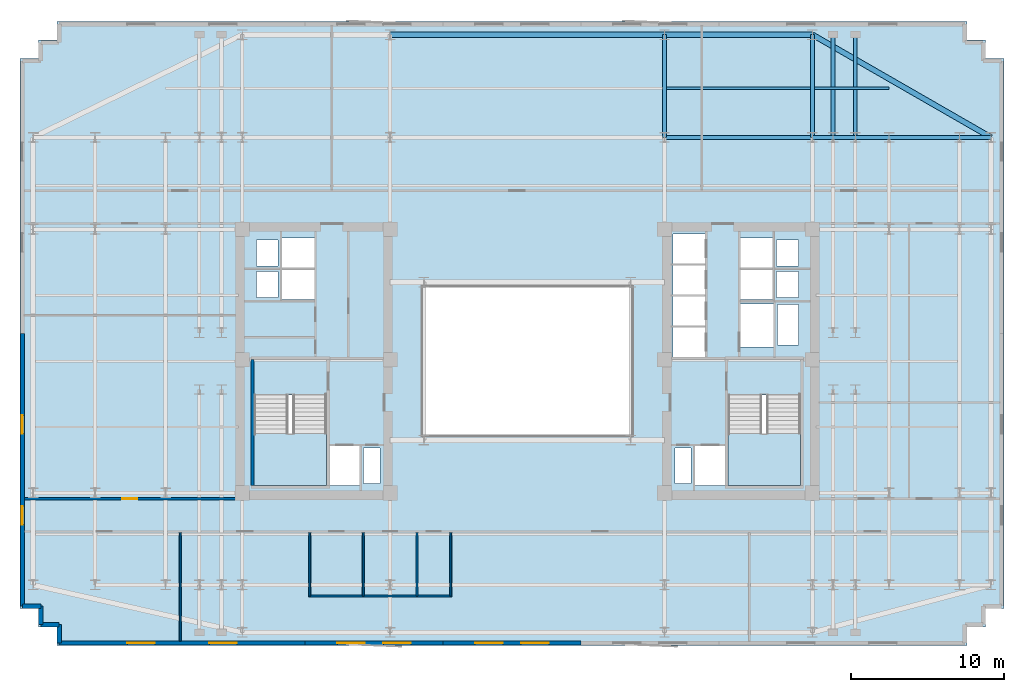
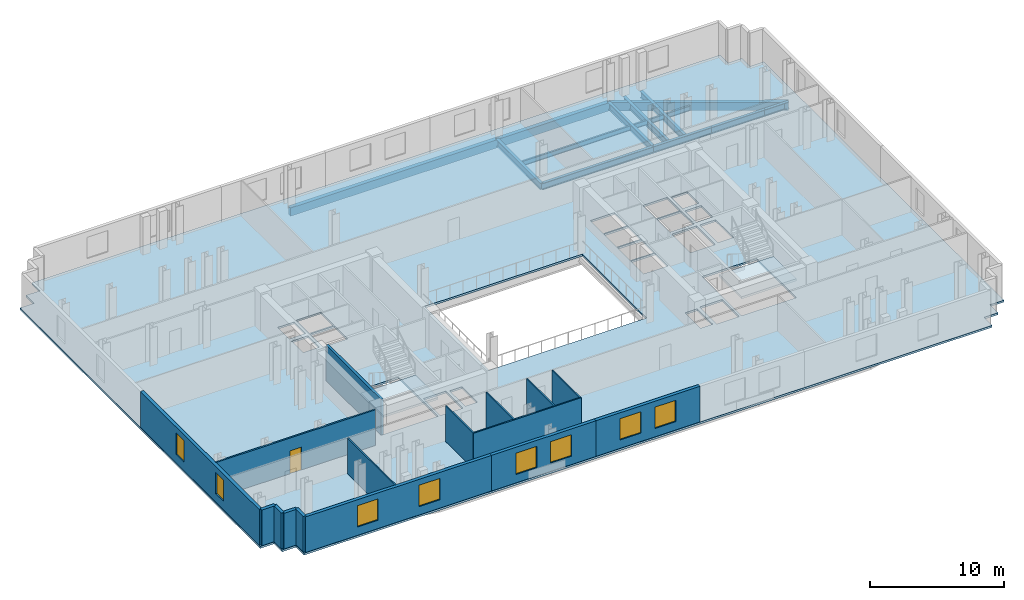
# One storey, part 3 of 10: 16 walls, 13 beams, 8 windows, 3 slabs, 1 door, 9 openings, 2 elements without a shape of their own.
"""IFC4 building model written with IfcOpenShell, lengths in metres."""

from ifc_helpers import new_model, si_unit, direction, frame, frame_2d, origin, origin_2d, place, context, subcontext, project, spatial, polyline, rectangle, i_section, outline, extrude, material, layer, layer_set, material_profile, profile_set, type_object, element, fill, aggregate, save


model = new_model("IFC4")

# Units and contexts
model_context = context("Model", 3, precision=1e-05, world=origin(), true_north=direction((0.0, 1.0)))
body_context = subcontext(model_context, "Body", "Model", "MODEL_VIEW")
ifc_project = project(units=[si_unit("LENGTHUNIT", "METRE"), si_unit("AREAUNIT", "SQUARE_METRE"), si_unit("VOLUMEUNIT", "CUBIC_METRE"), si_unit("PLANEANGLEUNIT", "RADIAN"), si_unit("MASSUNIT", "GRAM", prefix="KILO")], contexts=[model_context])

# Site, building, storey
site_placement = place(None, origin())
site = spatial("IfcSite", under=ifc_project, at=site_placement, CompositionType="ELEMENT")
building_placement = place(site_placement, origin())
building = spatial("IfcBuilding", under=site, at=building_placement, Name="Velakula Bourse", CompositionType="ELEMENT")
storey_placement = place(building_placement, frame((0.0, 0.0, 127.75)))
storey = spatial("IfcBuildingStorey", under=building, at=storey_placement, Name="L34", CompositionType="ELEMENT", Elevation=127.75)

# Beams
ifc_material_1 = material(Name="Steel IS 2062 Grade 350 (E350)", Category="steel")
ifc_material_profile_1 = material_profile(ifc_material_1, i_section(OverallWidth=0.25, OverallDepth=0.60009765625, WebThickness=0.01123046875, FlangeThickness=0.021240234375, at=origin_2d()), Name="Steel IS 2062 Grade 350 (E350)")
ifc_profile_set_1 = profile_set([ifc_material_profile_1], Name="Steel IS 2062 Grade 350 (E350)")
beam_type_1 = type_object("IfcBeamType", Name="BM-GRD-600M", PredefinedType="BEAM", material=ifc_profile_set_1)
beam_1_placement = place(storey_placement, frame((8.949951171875, 14.60009765625, -0.47998046875), z_axis=(1.0, 0.0, 0.0), x_axis=(0.0, 1.0, 0.0)))
element("IfcBeam", 1, at=beam_1_placement, inside=storey, type_object=beam_type_1, Name="L34 Fulcrum Grid Girder FLC-N3", PredefinedType="BEAM", context=body_context, shape_type="SweptSolid", body=[
    extrude(i_section(OverallWidth=0.25, OverallDepth=0.60009765625, WebThickness=0.01123046875, FlangeThickness=0.021240234375, at=origin_2d()), origin(), (0.0, 0.0, 1.0), 9.650146484375),
])
beam_2_placement = place(storey_placement, frame((18.60009765625, 14.60009765625, -0.47998046875), z_axis=(1.0, 0.0, 0.0), x_axis=(0.0, 1.0, 0.0)))
element("IfcBeam", 2, at=beam_2_placement, inside=storey, type_object=beam_type_1, Name="L34 Fulcrum Grid Girder MWG-EN2", PredefinedType="BEAM", context=body_context, shape_type="SweptSolid", body=[
    extrude(i_section(OverallWidth=0.25, OverallDepth=0.60009765625, WebThickness=0.01123046875, FlangeThickness=0.021240234375, at=origin_2d()), origin(), (0.0, 0.0, 1.0), 5.0),
])
beam_3_placement = place(storey_placement, frame((23.60009765625, 14.60009765625, -0.47998046875), z_axis=(1.0, 0.0, 0.0), x_axis=(0.0, 1.0, 0.0)))
element("IfcBeam", 3, at=beam_3_placement, inside=storey, type_object=beam_type_1, Name="L34 Fulcrum Grid Girder WNG-EN2", PredefinedType="BEAM", context=body_context, shape_type="SweptSolid", body=[
    extrude(i_section(OverallWidth=0.25, OverallDepth=0.60009765625, WebThickness=0.01123046875, FlangeThickness=0.021240234375, at=origin_2d()), origin(), (0.0, 0.0, 1.0), 4.599853515625),
])
for number, where, z_axis, x_axis, name in (
    (4, (8.949951171875, 14.60009765625, -0.47998046875), (0.0, 1.0, 0.0), (-1.0, 0.0, 0.0), "L34 Perimeter Tie Girder N3"),
    (5, (18.60009765625, 14.60009765625, -0.47998046875), (0.0, 1.0, 0.0), (-1.0, 0.0, 0.0), "L34 Perimeter Tie Girder N4"),
):
    element("IfcBeam", number, at=place(storey_placement, frame(where, z_axis=z_axis, x_axis=x_axis)), inside=storey, type_object=beam_type_1, Name=name, PredefinedType="BEAM", context=body_context, shape_type="SweptSolid", body=[
        extrude(i_section(OverallWidth=0.25, OverallDepth=0.60009765625, WebThickness=0.01123046875, FlangeThickness=0.021240234375, at=origin_2d()), origin(), (0.0, 0.0, 1.0), 6.699951171875),
    ])
beam_4_placement = place(storey_placement, frame((28.199951171875, 14.60009765625, -0.47998046875), z_axis=(1.0, 0.0, 0.0), x_axis=(0.0, 1.0, 0.0)))
element("IfcBeam", 6, at=beam_4_placement, inside=storey, type_object=beam_type_1, Name="L34 Perimeter Tie Girder E4", PredefinedType="BEAM", context=body_context, shape_type="SweptSolid", body=[
    extrude(i_section(OverallWidth=0.25, OverallDepth=0.60009765625, WebThickness=0.01123046875, FlangeThickness=0.021240234375, at=origin_2d()), origin(), (0.0, 0.0, 1.0), 2.050048828125),
])
for number, where, z_axis, x_axis, name in (
    (7, (19.949951171875, 14.60009765625, -0.47998046875), (0.0, 1.0, 0.0), (-1.0, 0.0, 0.0), "L34 Perimeter Tie Girder P07"),
    (8, (21.39990234375, 14.60009765625, -0.47998046875), (0.0, 1.0, 0.0), (-1.0, 0.0, 0.0), "L34 Perimeter Tie Girder P08"),
):
    element("IfcBeam", number, at=place(storey_placement, frame(where, z_axis=z_axis, x_axis=x_axis)), inside=storey, type_object=beam_type_1, Name=name, PredefinedType="BEAM", context=body_context, shape_type="SweptSolid", body=[
        extrude(i_section(OverallWidth=0.25, OverallDepth=0.60009765625, WebThickness=0.01123046875, FlangeThickness=0.021240234375, at=origin_2d()), origin(), (0.0, 0.0, 1.0), 6.699951171875),
    ])
ifc_material_profile_2 = material_profile(ifc_material_1, i_section(OverallWidth=0.14990234375, OverallDepth=0.449951171875, WebThickness=0.009521484375, FlangeThickness=0.017333984375, at=origin_2d()), Name="Steel IS 2062 Grade 350 (E350)")
ifc_profile_set_2 = profile_set([ifc_material_profile_2], Name="Steel IS 2062 Grade 350 (E350)")
beam_type_2 = type_object("IfcBeamType", Name="JST-TWR-450", PredefinedType="JOIST", material=ifc_profile_set_2)
beam_5_placement = place(storey_placement, frame((9.074951171875, 17.800048828125, -0.405029296875), z_axis=(1.0, 0.0, 0.0), x_axis=(0.0, 1.0, 0.0)))
element("IfcBeam", 9, at=beam_5_placement, inside=storey, type_object=beam_type_2, Name="L34 Trading Floor Composite Joist 20", PredefinedType="JOIST", context=body_context, shape_type="SweptSolid", body=[
    extrude(i_section(OverallWidth=0.14990234375, OverallDepth=0.449951171875, WebThickness=0.009521484375, FlangeThickness=0.017333984375, at=origin_2d()), origin(), (0.0, 0.0, 1.0), 9.400146484375),
])
beam_6_placement = place(storey_placement, frame((18.72509765625, 17.800048828125, -0.405029296875), z_axis=(1.0, 0.0, 0.0), x_axis=(0.0, 1.0, 0.0)))
element("IfcBeam", 10, at=beam_6_placement, inside=storey, type_object=beam_type_2, Name="L34 Trading Floor Composite Joist 21", PredefinedType="JOIST", context=body_context, shape_type="SweptSolid", body=[
    extrude(i_section(OverallWidth=0.14990234375, OverallDepth=0.449951171875, WebThickness=0.009521484375, FlangeThickness=0.017333984375, at=origin_2d()), origin(), (0.0, 0.0, 1.0), 4.875),
])
ifc_material_2 = material(Name="Precast concrete M45 (fck 45 MPa)", Category="concrete")
ifc_material_profile_3 = material_profile(ifc_material_2, rectangle(XDim=0.35009765625, YDim=0.75, at=origin_2d()), Name="Precast concrete M45 (fck 45 MPa)")
ifc_profile_set_3 = profile_set([ifc_material_profile_3], Name="Precast concrete M45 (fck 45 MPa)")
beam_type_3 = type_object("IfcBeamType", Name="SPN-BRICK-750", PredefinedType="SPANDREL", material=ifc_profile_set_3)
beam_7_placement = place(storey_placement, frame((-8.949951171875, 21.300048828125, -0.554931640625), z_axis=(1.0, 0.0, 0.0), x_axis=(0.0, 1.0, 0.0)))
element("IfcBeam", 11, at=beam_7_placement, inside=storey, type_object=beam_type_3, Name="L34 Brick-Faced Precast Spandrel N2-N3", PredefinedType="SPANDREL", context=body_context, shape_type="SweptSolid", body=[
    extrude(rectangle(XDim=0.35009765625, YDim=0.75, at=origin_2d()), origin(), (0.0, 0.0, 1.0), 17.89990234375),
])
beam_8_placement = place(storey_placement, frame((8.949951171875, 21.300048828125, -0.554931640625), z_axis=(1.0, 0.0, 0.0), x_axis=(0.0, 1.0, 0.0)))
element("IfcBeam", 12, at=beam_8_placement, inside=storey, type_object=beam_type_3, Name="L34 Brick-Faced Precast Spandrel N3-N4", PredefinedType="SPANDREL", context=body_context, shape_type="SweptSolid", body=[
    extrude(rectangle(XDim=0.35009765625, YDim=0.75, at=origin_2d()), origin(), (0.0, 0.0, 1.0), 9.650146484375),
])
beam_9_placement = place(storey_placement, frame((30.25, 14.60009765625, -0.554931640625), z_axis=(-0.866865871572, 0.498541433286, 0.0), x_axis=(-0.498541433286, -0.866865871572, 0.0)))
element("IfcBeam", 13, at=beam_9_placement, inside=storey, type_object=beam_type_3, Name="L34 Brick-Faced Precast Spandrel E4-N4", PredefinedType="SPANDREL", context=body_context, shape_type="SweptSolid", body=[
    extrude(rectangle(XDim=0.35009765625, YDim=0.75, at=origin_2d()), origin(), (0.0, 0.0, 1.0), 13.439208984375),
])

# Stair, slab
ifc_material_3 = material(Name="Concrete M45 (fck 45 MPa)", Category="concrete")
stair_type = type_object("IfcStairType", Name="STR-DOG-390", PredefinedType="HALF_TURN_STAIR", material=ifc_material_3)
stair_1_placement = place(storey_placement, origin())
stair_1 = element("IfcStair", 14, at=stair_1_placement, inside=storey, type_object=stair_type, Name="L34 West Core Exit Stair ST-W1", PredefinedType="HALF_TURN_STAIR")
ifc_layer_1 = layer(ifc_material_3, 0.199951171875, Name="Concrete M45 (fck 45 MPa)", Category="concrete")
ifc_layer_set_1 = layer_set([ifc_layer_1], Name="Concrete M45 (fck 45 MPa)")
slab_type_1 = type_object("IfcSlabType", Name="SLB-STAIR-LND-200", PredefinedType="LANDING", material=ifc_layer_set_1)
slab_1_placement = place(storey_placement, frame((0.0, 0.0, 1.52490234375)))
slab_1 = element("IfcSlab", 15, at=slab_1_placement, type_object=slab_type_1, Name="ST-W1 landing 1", PredefinedType="LANDING", context=body_context, shape_type="SweptSolid", body=[
    extrude(outline(polyline([(-17.820068359375, -4.719970703125), (-17.820068359375, -8.10009765625), (-13.10009765625, -8.10009765625), (-13.10009765625, -4.719970703125), (-17.820068359375, -4.719970703125)])), origin(), (0.0, 0.0, 1.0), 0.2001953125),
])
aggregate(stair_1, [slab_1])

stair_2_placement = place(storey_placement, origin())
stair_2 = element("IfcStair", 16, at=stair_2_placement, inside=storey, type_object=stair_type, Name="L34 East Core Exit Stair ST-E1", PredefinedType="HALF_TURN_STAIR")
slab_2_placement = place(storey_placement, frame((0.0, 0.0, 1.52490234375)))
slab_2 = element("IfcSlab", 17, at=slab_2_placement, type_object=slab_type_1, Name="ST-E1 landing 1", PredefinedType="LANDING", context=body_context, shape_type="SweptSolid", body=[
    extrude(outline(polyline([(13.10009765625, -4.719970703125), (13.10009765625, -8.10009765625), (17.820068359375, -8.10009765625), (17.820068359375, -4.719970703125), (13.10009765625, -4.719970703125)])), origin(), (0.0, 0.0, 1.0), 0.2001953125),
])
aggregate(stair_2, [slab_2])

# Slab
ifc_material_4 = material(Name="Concrete M50 (fck 50 MPa)", Category="concrete")
ifc_layer_2 = layer(ifc_material_4, 0.179931640625, Name="Concrete M50 (fck 50 MPa)", Category="concrete")
ifc_layer_set_2 = layer_set([ifc_layer_2], Name="Concrete M50 (fck 50 MPa)")
slab_type_2 = type_object("IfcSlabType", Name="SLB-TWR-180", PredefinedType="FLOOR", material=ifc_layer_set_2)
slab_3_placement = place(storey_placement, frame((0.0, 0.0, -0.179931640625)))
element("IfcSlab", 18, at=slab_3_placement, inside=storey, type_object=slab_type_2, Name="L34 Suspended Structural Floor Slab", PredefinedType="FLOOR", context=body_context, shape_type="SweptSolid", body=[
    extrude(outline(polyline([(-30.699951171875, -18.550048828125), (28.699951171875, -18.550048828125), (28.699951171875, -17.35009765625), (29.89990234375, -17.35009765625), (29.89990234375, -16.14990234375), (31.10009765625, -16.14990234375), (31.10009765625, 19.75), (29.89990234375, 19.75), (29.89990234375, 20.949951171875), (28.699951171875, 20.949951171875), (28.699951171875, 22.14990234375), (-30.699951171875, 22.14990234375), (-30.699951171875, 20.949951171875), (-31.89990234375, 20.949951171875), (-31.89990234375, 19.75), (-33.10009765625, 19.75), (-33.10009765625, -16.14990234375), (-31.89990234375, -16.14990234375), (-31.89990234375, -17.35009765625), (-30.699951171875, -17.35009765625), (-30.699951171875, -18.550048828125)]), holes=[polyline([(-17.820068359375, -8.10009765625), (-13.10009765625, -8.10009765625), (-13.10009765625, -2.199951171875), (-17.820068359375, -2.199951171875), (-17.820068359375, -8.10009765625)]), polyline([(13.10009765625, -8.10009765625), (17.820068359375, -8.10009765625), (17.820068359375, -2.199951171875), (13.10009765625, -2.199951171875), (13.10009765625, -8.10009765625)]), polyline([(-12.89990234375, -8.10009765625), (-10.949951171875, -8.10009765625), (-10.949951171875, -5.550048828125), (-12.89990234375, -5.550048828125), (-12.89990234375, -8.10009765625)]), polyline([(10.949951171875, -8.10009765625), (12.89990234375, -8.10009765625), (12.89990234375, -5.550048828125), (10.949951171875, -5.550048828125), (10.949951171875, -8.10009765625)]), polyline([(13.89990234375, 0.919921875), (16.050048828125, 0.919921875), (16.050048828125, 3.719970703125), (13.89990234375, 3.719970703125), (13.89990234375, 0.919921875)]), polyline([(-10.679931640625, -7.97998046875), (-9.6201171875, -7.97998046875), (-9.6201171875, -5.669921875), (-10.679931640625, -5.669921875), (-10.679931640625, -7.97998046875)]), polyline([(-17.679931640625, 4.139892578125), (-16.27001953125, 4.139892578125), (-16.27001953125, 5.85009765625), (-17.679931640625, 5.85009765625), (-17.679931640625, 4.139892578125)]), polyline([(-17.679931640625, 6.2099609375), (-16.27001953125, 6.2099609375), (-16.27001953125, 7.919921875), (-17.679931640625, 7.919921875), (-17.679931640625, 6.2099609375)]), polyline([(9.6201171875, -7.97998046875), (10.679931640625, -7.97998046875), (10.679931640625, -5.669921875), (9.6201171875, -5.669921875), (9.6201171875, -7.97998046875)]), polyline([(16.27001953125, 4.139892578125), (17.679931640625, 4.139892578125), (17.679931640625, 5.85009765625), (16.27001953125, 5.85009765625), (16.27001953125, 4.139892578125)]), polyline([(16.27001953125, 6.2099609375), (17.679931640625, 6.2099609375), (17.679931640625, 7.919921875), (16.27001953125, 7.919921875), (16.27001953125, 6.2099609375)]), polyline([(16.320068359375, 1.0400390625), (17.679931640625, 1.0400390625), (17.679931640625, 3.699951171875), (16.320068359375, 3.699951171875), (16.320068359375, 1.0400390625)]), polyline([(9.5, 0.280029296875), (11.60009765625, 0.280029296875), (11.60009765625, 2.199951171875), (9.5, 2.199951171875), (9.5, 0.280029296875)]), polyline([(9.5, 2.31005859375), (11.60009765625, 2.31005859375), (11.60009765625, 4.22998046875), (9.5, 4.22998046875), (9.5, 2.31005859375)]), polyline([(9.5, 4.340087890625), (11.60009765625, 4.340087890625), (11.60009765625, 6.260009765625), (9.5, 6.260009765625), (9.5, 4.340087890625)]), polyline([(9.5, 6.3701171875), (11.60009765625, 6.3701171875), (11.60009765625, 8.2900390625), (9.5, 8.2900390625), (9.5, 6.3701171875)]), polyline([(-16.0, 4.02001953125), (-13.89990234375, 4.02001953125), (-13.89990234375, 5.969970703125), (-16.0, 5.969970703125), (-16.0, 4.02001953125)]), polyline([(-16.0, 6.090087890625), (-13.89990234375, 6.090087890625), (-13.89990234375, 8.0400390625), (-16.0, 8.0400390625), (-16.0, 6.090087890625)]), polyline([(13.89990234375, 4.02001953125), (16.0, 4.02001953125), (16.0, 5.969970703125), (13.89990234375, 5.969970703125), (13.89990234375, 4.02001953125)]), polyline([(13.89990234375, 6.090087890625), (16.0, 6.090087890625), (16.0, 8.0400390625), (13.89990234375, 8.0400390625), (13.89990234375, 6.090087890625)]), polyline([(-6.800048828125, -4.800048828125), (6.800048828125, -4.800048828125), (6.800048828125, 4.800048828125), (-6.800048828125, 4.800048828125), (-6.800048828125, -4.800048828125)])]), origin(), (0.0, 0.0, 1.0), 0.179931640625),
])

# Wall
ifc_layer_3 = layer(ifc_material_4, 0.2099609375, Name="Concrete M50 (fck 50 MPa)", Category="concrete")
ifc_layer_set_3 = layer_set([ifc_layer_3], Name="Concrete M50 (fck 50 MPa)")
wall_type_1 = type_object("IfcWallType", Name="WL-CORE-210", PredefinedType="SHEAR", material=ifc_layer_set_3)
wall_1_placement = place(storey_placement, frame((-17.925048828125, -8.10009765625, 0.0), z_axis=(0.0, 0.0, 1.0), x_axis=(0.0, 1.0, 0.0)))
element("IfcWall", 19, at=wall_1_placement, inside=storey, type_object=wall_type_1, Name="L34 Core W Stairwell Shear Wall OUT", PredefinedType="SHEAR", context=body_context, shape_type="SweptSolid", body=[
    extrude(rectangle(XDim=8.2001953125, YDim=0.2099609375, at=frame_2d((4.10009765625, 0.0))), origin(), (0.0, 0.0, 1.0), 3.27001953125),
])

# Wall, openings, windows
ifc_material_5 = material(Name="Red kilned clay facing brick masonry", Category="masonry")
ifc_layer_4 = layer(ifc_material_5, 0.280029296875, Name="Red kilned clay facing brick masonry", Category="masonry")
ifc_layer_set_4 = layer_set([ifc_layer_4], Name="Red kilned clay facing brick masonry")
wall_type_2 = type_object("IfcWallType", Name="WL-EXT-BRK-280", PredefinedType="STANDARD", material=ifc_layer_set_4)
wall_2_placement = place(storey_placement, frame((-14.5, -18.389892578125, 0.0), z_axis=(0.0, 0.0, 1.0), x_axis=(-1.0, 0.0, 0.0)))
wall_2 = element("IfcWall", 20, at=wall_2_placement, inside=storey, type_object=wall_type_2, Name="L34 S Brick Spandrel Wall B1", PredefinedType="STANDARD", context=body_context, shape_type="SweptSolid", body=[
    extrude(rectangle(XDim=16.0400390625, YDim=0.280029296875, at=frame_2d((8.02001953125, 0.0))), origin(), (0.0, 0.0, 1.0), 3.25),
])
opening_1_placement = place(wall_2_placement, frame((4.44677734375, 0.0, 0.760009765625)))
opening_1 = element("IfcOpeningElement", 21, at=opening_1_placement, cuts=wall_2, Name="Opening W-01", PredefinedType="OPENING", context=body_context, shape_type="SweptSolid", body=[
    extrude(rectangle(XDim=1.800048828125, YDim=1.949951171875, at=frame_2d((0.89990234375, 0.97509765625))), frame((0.0, 0.14990234375, 0.0), z_axis=(0.0, -1.0, 0.0), x_axis=(1.0, 0.0, 0.0)), (0.0, 0.0, 1.0), 0.300048828125),
])
opening_2_placement = place(wall_2_placement, frame((9.793212890625, 0.0, 0.760009765625)))
opening_2 = element("IfcOpeningElement", 22, at=opening_2_placement, cuts=wall_2, Name="Opening W-01", PredefinedType="OPENING", context=body_context, shape_type="SweptSolid", body=[
    extrude(rectangle(XDim=1.800048828125, YDim=1.949951171875, at=frame_2d((0.89990234375, 0.97509765625))), frame((0.0, 0.14990234375, 0.0), z_axis=(0.0, -1.0, 0.0), x_axis=(1.0, 0.0, 0.0)), (0.0, 0.0, 1.0), 0.300048828125),
])
ifc_material_6 = material(Name="Double-glazed solar-control Low-E glass", Category="glass")
window_type_1 = type_object("IfcWindowType", Name="WIN-TWR-1800x2100", PartitioningType="SINGLE_PANEL", PredefinedType="WINDOW", material=ifc_material_6)
window_1_placement = place(opening_1_placement, origin())
window_1 = element("IfcWindow", 23, at=window_1_placement, inside=storey, type_object=window_type_1, Name="L34 Deep-Set Recessed Window 1", OverallHeight=1.949951171875, OverallWidth=1.800048828125, PartitioningType="SINGLE_PANEL", PredefinedType="WINDOW", context=body_context, shape_type="SweptSolid", body=[
    extrude(rectangle(XDim=1.800048828125, YDim=1.949951171875, at=frame_2d((0.89990234375, 0.97509765625))), frame((0.0, 0.030029296875, 0.0), z_axis=(0.0, -1.0, 0.0), x_axis=(1.0, 0.0, 0.0)), (0.0, 0.0, 1.0), 0.06005859375),
])
fill(opening_1, window_1)
window_2_placement = place(opening_2_placement, origin())
window_2 = element("IfcWindow", 24, at=window_2_placement, inside=storey, type_object=window_type_1, Name="L34 Deep-Set Recessed Window 2", OverallHeight=1.949951171875, OverallWidth=1.800048828125, PartitioningType="SINGLE_PANEL", PredefinedType="WINDOW", context=body_context, shape_type="SweptSolid", body=[
    extrude(rectangle(XDim=1.800048828125, YDim=1.949951171875, at=frame_2d((0.89990234375, 0.97509765625))), frame((0.0, 0.030029296875, 0.0), z_axis=(0.0, -1.0, 0.0), x_axis=(1.0, 0.0, 0.0)), (0.0, 0.0, 1.0), 0.06005859375),
])
fill(opening_2, window_2)

wall_3_placement = place(storey_placement, frame((-5.5, -18.389892578125, 0.0), z_axis=(0.0, 0.0, 1.0), x_axis=(-1.0, 0.0, 0.0)))
wall_3 = element("IfcWall", 25, at=wall_3_placement, inside=storey, type_object=wall_type_2, Name="L34 S Brick Spandrel Wall B2", PredefinedType="STANDARD", context=body_context, shape_type="SweptSolid", body=[
    extrude(rectangle(XDim=9.0, YDim=0.280029296875, at=frame_2d((4.5, 0.0))), origin(), (0.0, 0.0, 1.0), 3.25),
])
opening_3_placement = place(wall_3_placement, frame((2.10009765625, 0.0, 0.760009765625)))
opening_3 = element("IfcOpeningElement", 26, at=opening_3_placement, cuts=wall_3, Name="Opening W-01", PredefinedType="OPENING", context=body_context, shape_type="SweptSolid", body=[
    extrude(rectangle(XDim=1.800048828125, YDim=1.949951171875, at=frame_2d((0.89990234375, 0.97509765625))), frame((0.0, 0.14990234375, 0.0), z_axis=(0.0, -1.0, 0.0), x_axis=(1.0, 0.0, 0.0)), (0.0, 0.0, 1.0), 0.300048828125),
])
opening_4_placement = place(wall_3_placement, frame((5.10009765625, 0.0, 0.760009765625)))
opening_4 = element("IfcOpeningElement", 27, at=opening_4_placement, cuts=wall_3, Name="Opening W-01", PredefinedType="OPENING", context=body_context, shape_type="SweptSolid", body=[
    extrude(rectangle(XDim=1.800048828125, YDim=1.949951171875, at=frame_2d((0.89990234375, 0.97509765625))), frame((0.0, 0.14990234375, 0.0), z_axis=(0.0, -1.0, 0.0), x_axis=(1.0, 0.0, 0.0)), (0.0, 0.0, 1.0), 0.300048828125),
])
window_3_placement = place(opening_3_placement, origin())
window_3 = element("IfcWindow", 28, at=window_3_placement, inside=storey, type_object=window_type_1, Name="L34 Deep-Set Recessed Window 1", OverallHeight=1.949951171875, OverallWidth=1.800048828125, PartitioningType="SINGLE_PANEL", PredefinedType="WINDOW", context=body_context, shape_type="SweptSolid", body=[
    extrude(rectangle(XDim=1.800048828125, YDim=1.949951171875, at=frame_2d((0.89990234375, 0.97509765625))), frame((0.0, 0.030029296875, 0.0), z_axis=(0.0, -1.0, 0.0), x_axis=(1.0, 0.0, 0.0)), (0.0, 0.0, 1.0), 0.06005859375),
])
fill(opening_3, window_3)
window_4_placement = place(opening_4_placement, origin())
window_4 = element("IfcWindow", 29, at=window_4_placement, inside=storey, type_object=window_type_1, Name="L34 Deep-Set Recessed Window 2", OverallHeight=1.949951171875, OverallWidth=1.800048828125, PartitioningType="SINGLE_PANEL", PredefinedType="WINDOW", context=body_context, shape_type="SweptSolid", body=[
    extrude(rectangle(XDim=1.800048828125, YDim=1.949951171875, at=frame_2d((0.89990234375, 0.97509765625))), frame((0.0, 0.030029296875, 0.0), z_axis=(0.0, -1.0, 0.0), x_axis=(1.0, 0.0, 0.0)), (0.0, 0.0, 1.0), 0.06005859375),
])
fill(opening_4, window_4)

wall_4_placement = place(storey_placement, frame((3.5, -18.389892578125, 0.0), z_axis=(0.0, 0.0, 1.0), x_axis=(-1.0, 0.0, 0.0)))
wall_4 = element("IfcWall", 30, at=wall_4_placement, inside=storey, type_object=wall_type_2, Name="L34 S Brick Spandrel Wall B3", PredefinedType="STANDARD", context=body_context, shape_type="SweptSolid", body=[
    extrude(rectangle(XDim=9.0, YDim=0.280029296875, at=frame_2d((4.5, 0.0))), origin(), (0.0, 0.0, 1.0), 3.25),
])
opening_5_placement = place(wall_4_placement, frame((2.10009765625, 0.0, 0.760009765625)))
opening_5 = element("IfcOpeningElement", 31, at=opening_5_placement, cuts=wall_4, Name="Opening W-01", PredefinedType="OPENING", context=body_context, shape_type="SweptSolid", body=[
    extrude(rectangle(XDim=1.800048828125, YDim=1.949951171875, at=frame_2d((0.89990234375, 0.97509765625))), frame((0.0, 0.14990234375, 0.0), z_axis=(0.0, -1.0, 0.0), x_axis=(1.0, 0.0, 0.0)), (0.0, 0.0, 1.0), 0.300048828125),
])
opening_6_placement = place(wall_4_placement, frame((5.10009765625, 0.0, 0.760009765625)))
opening_6 = element("IfcOpeningElement", 32, at=opening_6_placement, cuts=wall_4, Name="Opening W-01", PredefinedType="OPENING", context=body_context, shape_type="SweptSolid", body=[
    extrude(rectangle(XDim=1.800048828125, YDim=1.949951171875, at=frame_2d((0.89990234375, 0.97509765625))), frame((0.0, 0.14990234375, 0.0), z_axis=(0.0, -1.0, 0.0), x_axis=(1.0, 0.0, 0.0)), (0.0, 0.0, 1.0), 0.300048828125),
])
window_5_placement = place(opening_5_placement, origin())
window_5 = element("IfcWindow", 33, at=window_5_placement, inside=storey, type_object=window_type_1, Name="L34 Deep-Set Recessed Window 1", OverallHeight=1.949951171875, OverallWidth=1.800048828125, PartitioningType="SINGLE_PANEL", PredefinedType="WINDOW", context=body_context, shape_type="SweptSolid", body=[
    extrude(rectangle(XDim=1.800048828125, YDim=1.949951171875, at=frame_2d((0.89990234375, 0.97509765625))), frame((0.0, 0.030029296875, 0.0), z_axis=(0.0, -1.0, 0.0), x_axis=(1.0, 0.0, 0.0)), (0.0, 0.0, 1.0), 0.06005859375),
])
fill(opening_5, window_5)
window_6_placement = place(opening_6_placement, origin())
window_6 = element("IfcWindow", 34, at=window_6_placement, inside=storey, type_object=window_type_1, Name="L34 Deep-Set Recessed Window 2", OverallHeight=1.949951171875, OverallWidth=1.800048828125, PartitioningType="SINGLE_PANEL", PredefinedType="WINDOW", context=body_context, shape_type="SweptSolid", body=[
    extrude(rectangle(XDim=1.800048828125, YDim=1.949951171875, at=frame_2d((0.89990234375, 0.97509765625))), frame((0.0, 0.030029296875, 0.0), z_axis=(0.0, -1.0, 0.0), x_axis=(1.0, 0.0, 0.0)), (0.0, 0.0, 1.0), 0.06005859375),
])
fill(opening_6, window_6)

wall_5_placement = place(storey_placement, frame((-32.93994140625, -15.989990234375, 0.0), z_axis=(0.0, 0.0, 1.0), x_axis=(0.0, 1.0, 0.0)))
wall_5 = element("IfcWall", 35, at=wall_5_placement, inside=storey, type_object=wall_type_2, Name="L34 W Brick End Wall W1", PredefinedType="STANDARD", context=body_context, shape_type="SweptSolid", body=[
    extrude(rectangle(XDim=17.7900390625, YDim=0.280029296875, at=frame_2d((8.89501953125, 0.0))), origin(), (0.0, 0.0, 1.0), 3.25),
])
opening_7_placement = place(wall_5_placement, frame((5.330078125, 0.0, 0.760009765625)))
opening_7 = element("IfcOpeningElement", 36, at=opening_7_placement, cuts=wall_5, Name="Opening W-04", PredefinedType="OPENING", context=body_context, shape_type="SweptSolid", body=[
    extrude(rectangle(XDim=1.199951171875, YDim=1.949951171875, at=frame_2d((0.60009765625, 0.97509765625))), frame((0.0, 0.14990234375, 0.0), z_axis=(0.0, -1.0, 0.0), x_axis=(1.0, 0.0, 0.0)), (0.0, 0.0, 1.0), 0.300048828125),
])
opening_8_placement = place(wall_5_placement, frame((11.260009765625, 0.0, 0.760009765625)))
opening_8 = element("IfcOpeningElement", 37, at=opening_8_placement, cuts=wall_5, Name="Opening W-04", PredefinedType="OPENING", context=body_context, shape_type="SweptSolid", body=[
    extrude(rectangle(XDim=1.199951171875, YDim=1.949951171875, at=frame_2d((0.60009765625, 0.97509765625))), frame((0.0, 0.14990234375, 0.0), z_axis=(0.0, -1.0, 0.0), x_axis=(1.0, 0.0, 0.0)), (0.0, 0.0, 1.0), 0.300048828125),
])
window_type_2 = type_object("IfcWindowType", Name="WIN-TWR-1200x2100", PartitioningType="SINGLE_PANEL", PredefinedType="WINDOW", material=ifc_material_6)
window_7_placement = place(opening_7_placement, origin())
window_7 = element("IfcWindow", 38, at=window_7_placement, inside=storey, type_object=window_type_2, Name="L34 Deep-Set Recessed Window 1", OverallHeight=1.949951171875, OverallWidth=1.199951171875, PartitioningType="SINGLE_PANEL", PredefinedType="WINDOW", context=body_context, shape_type="SweptSolid", body=[
    extrude(rectangle(XDim=1.199951171875, YDim=1.949951171875, at=frame_2d((0.60009765625, 0.97509765625))), frame((0.0, 0.030029296875, 0.0), z_axis=(0.0, -1.0, 0.0), x_axis=(1.0, 0.0, 0.0)), (0.0, 0.0, 1.0), 0.06005859375),
])
fill(opening_7, window_7)
window_8_placement = place(opening_8_placement, origin())
window_8 = element("IfcWindow", 39, at=window_8_placement, inside=storey, type_object=window_type_2, Name="L34 Deep-Set Recessed Window 2", OverallHeight=1.949951171875, OverallWidth=1.199951171875, PartitioningType="SINGLE_PANEL", PredefinedType="WINDOW", context=body_context, shape_type="SweptSolid", body=[
    extrude(rectangle(XDim=1.199951171875, YDim=1.949951171875, at=frame_2d((0.60009765625, 0.97509765625))), frame((0.0, 0.030029296875, 0.0), z_axis=(0.0, -1.0, 0.0), x_axis=(1.0, 0.0, 0.0)), (0.0, 0.0, 1.0), 0.06005859375),
])
fill(opening_8, window_8)

# Walls
for number, where, z_axis, x_axis, name in (
    (40, (-32.93994140625, -15.989990234375, 0.0), (0.0, 0.0, 1.0), (1.0, 0.0, 0.0), "L34 Serrated Corner Brick Wall SW-1"),
    (41, (-31.739990234375, -15.989990234375, 0.0), (0.0, 0.0, 1.0), (0.0, -1.0, 0.0), "L34 Serrated Corner Brick Wall SW-2"),
    (42, (-31.739990234375, -17.18994140625, 0.0), (0.0, 0.0, 1.0), (1.0, 0.0, 0.0), "L34 Serrated Corner Brick Wall SW-3"),
    (43, (-30.5400390625, -17.18994140625, 0.0), (0.0, 0.0, 1.0), (0.0, -1.0, 0.0), "L34 Serrated Corner Brick Wall SW-4"),
):
    element("IfcWall", number, at=place(storey_placement, frame(where, z_axis=z_axis, x_axis=x_axis)), inside=storey, type_object=wall_type_2, Name=name, PredefinedType="STANDARD", context=body_context, shape_type="SweptSolid", body=[
        extrude(rectangle(XDim=1.199951171875, YDim=0.280029296875, at=frame_2d((0.60009765625, 0.0))), origin(), (0.0, 0.0, 1.0), 3.25),
    ])
ifc_material_7 = material(Name="Fire-rated double-layer gypsum drywall partition", Category="gypsum")
ifc_layer_5 = layer(ifc_material_7, 0.1201171875, Name="Fire-rated double-layer gypsum drywall partition", Category="gypsum")
ifc_layer_set_5 = layer_set([ifc_layer_5], Name="Fire-rated double-layer gypsum drywall partition")
wall_type_3 = type_object("IfcWallType", Name="WL-PART-120", PredefinedType="STANDARD", material=ifc_layer_set_5)
wall_6_placement = place(storey_placement, frame((-14.260009765625, -15.320068359375, 0.0), z_axis=(0.0, 0.0, 1.0), x_axis=(1.0, 0.0, 0.0)))
element("IfcWall", 44, at=wall_6_placement, inside=storey, type_object=wall_type_3, Name="L34 Interior Partition WL-WC-L34-BACK", PredefinedType="STANDARD", context=body_context, shape_type="SweptSolid", body=[
    extrude(rectangle(XDim=9.320068359375, YDim=0.1201171875, at=frame_2d((4.66015625, 0.0))), origin(), (0.0, 0.0, 1.0), 3.25),
])
for number, where, z_axis, x_axis, name in (
    (45, (-14.199951171875, -15.320068359375, 0.0), (0.0, 0.0, 1.0), (0.0, 1.0, 0.0), "L34 Interior Partition WL-WC-L34-V1"),
    (46, (-10.699951171875, -15.320068359375, 0.0), (0.0, 0.0, 1.0), (0.0, 1.0, 0.0), "L34 Interior Partition WL-WC-L34-V2"),
    (47, (-7.199951171875, -15.320068359375, 0.0), (0.0, 0.0, 1.0), (0.0, 1.0, 0.0), "L34 Interior Partition WL-WC-L34-V3"),
    (48, (-5.0, -15.320068359375, 0.0), (0.0, 0.0, 1.0), (0.0, 1.0, 0.0), "L34 Interior Partition WL-WC-L34-V4"),
):
    element("IfcWall", number, at=place(storey_placement, frame(where, z_axis=z_axis, x_axis=x_axis)), inside=storey, type_object=wall_type_3, Name=name, PredefinedType="STANDARD", context=body_context, shape_type="SweptSolid", body=[
        extrude(rectangle(XDim=4.130126953125, YDim=0.1201171875, at=frame_2d((2.06494140625, 0.0))), origin(), (0.0, 0.0, 1.0), 3.25),
    ])
wall_7_placement = place(storey_placement, frame((-22.64501953125, -18.27001953125, 0.0), z_axis=(0.0, 0.0, 1.0), x_axis=(0.0, 1.0, 0.0)))
element("IfcWall", 49, at=wall_7_placement, inside=storey, type_object=wall_type_3, Name="L34 Interior Partition WL-INT-L34-SL-D5", PredefinedType="STANDARD", context=body_context, shape_type="SweptSolid", body=[
    extrude(rectangle(XDim=7.080078125, YDim=0.1201171875, at=frame_2d((3.5400390625, 0.0))), origin(), (0.0, 0.0, 1.0), 3.25),
])

# Wall, opening, door
ifc_layer_6 = layer(ifc_material_7, 0.139892578125, Name="Fire-rated double-layer gypsum drywall partition", Category="gypsum")
ifc_layer_set_6 = layer_set([ifc_layer_6], Name="Fire-rated double-layer gypsum drywall partition")
wall_type_4 = type_object("IfcWallType", Name="WL-PART-140", PredefinedType="STANDARD", material=ifc_layer_set_6)
wall_8_placement = place(storey_placement, frame((-32.820068359375, -8.97998046875, 0.0), z_axis=(0.0, 0.0, 1.0), x_axis=(1.0, 0.0, 0.0)))
wall_8 = element("IfcWall", 50, at=wall_8_placement, inside=storey, type_object=wall_type_4, Name="L34 Interior Partition WL-INT-L34-W-SC", PredefinedType="STANDARD", context=body_context, shape_type="SweptSolid", body=[
    extrude(rectangle(XDim=13.77001953125, YDim=0.139892578125, at=frame_2d((6.885009765625, 0.0))), origin(), (0.0, 0.0, 1.0), 3.25),
])
opening_9_placement = place(wall_8_placement, frame((6.385009765625, 0.0, 0.0)))
opening_9 = element("IfcOpeningElement", 51, at=opening_9_placement, cuts=wall_8, Name="Opening D-OF1", PredefinedType="OPENING", context=body_context, shape_type="SweptSolid", body=[
    extrude(rectangle(XDim=1.0, YDim=2.080078125, at=frame_2d((0.5, 1.0400390625))), frame((0.0, 0.079833984375, 0.0), z_axis=(0.0, -1.0, 0.0), x_axis=(1.0, 0.0, 0.0)), (0.0, 0.0, 1.0), 0.159912109375),
])
ifc_material_8 = material(Name="Fire-rated hardwood flush architectural door", Category="wood")
door_type = type_object("IfcDoorType", Name="DR-OFF-1000", OperationType="NOTDEFINED", PredefinedType="DOOR", material=ifc_material_8)
door_placement = place(opening_9_placement, origin())
door = element("IfcDoor", 52, at=door_placement, inside=storey, type_object=door_type, Name="L34 Sovereign Debt Trading Workspace Door", OperationType="SINGLE_SWING_RIGHT", OverallHeight=2.080078125, OverallWidth=1.0, PredefinedType="DOOR", context=body_context, shape_type="SweptSolid", body=[
    extrude(rectangle(XDim=1.0, YDim=2.080078125, at=frame_2d((0.5, 1.0400390625))), frame((0.0, 0.02490234375, 0.0), z_axis=(0.0, -1.0, 0.0), x_axis=(1.0, 0.0, 0.0)), (0.0, 0.0, 1.0), 0.050048828125),
])
fill(opening_9, door)

save(model, "model.ifc")
